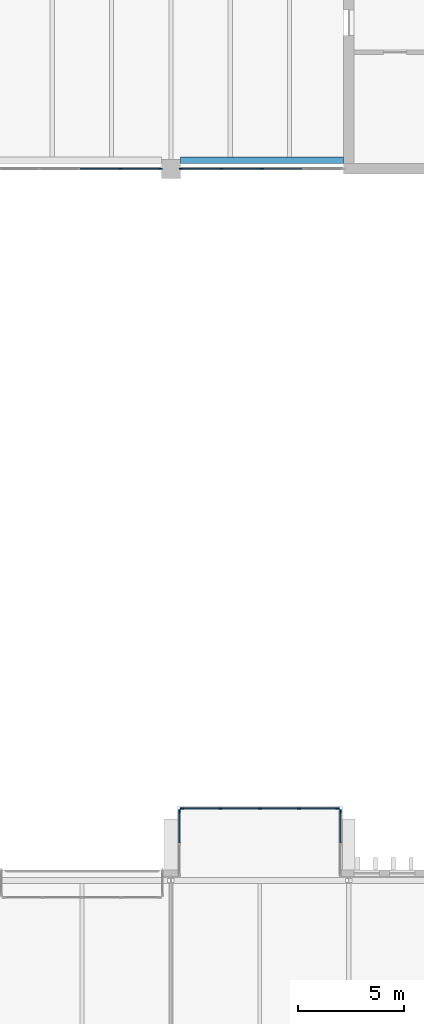
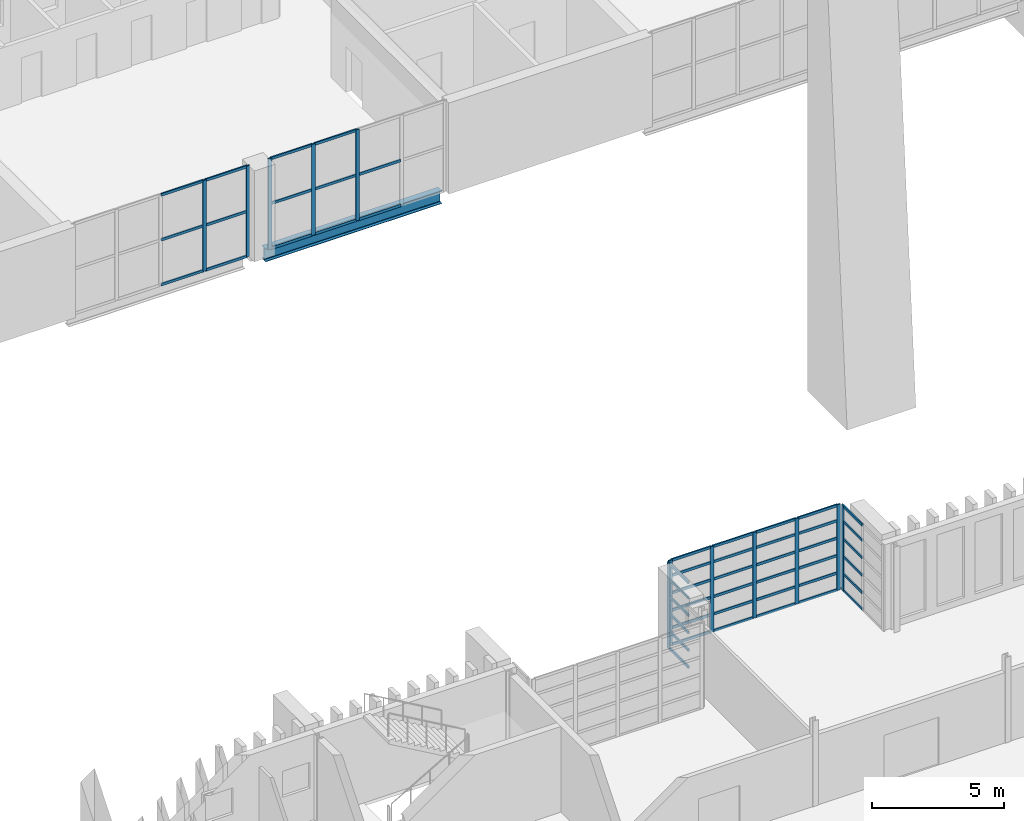
# One storey, part 32 of 88: 62 members, 1 beam, 5 elements without a shape of their own.
"""IFC4 building model written with IfcOpenShell, lengths in metres."""

from ifc_helpers import new_model, si_unit, direction, frame, origin, origin_2d, place, context, subcontext, project, spatial, rectangle, i_section, extrude, material, layer, layer_set, material_profile, profile_set, type_object, element, aggregate, save


model = new_model("IFC4")

# Units and contexts
model_context = context("Model", 3, precision=1e-05, world=origin(), true_north=direction((0.0, 1.0)))
body_context = subcontext(model_context, "Body", "Model", "MODEL_VIEW")
ifc_project = project(units=[si_unit("LENGTHUNIT", "METRE"), si_unit("AREAUNIT", "SQUARE_METRE"), si_unit("VOLUMEUNIT", "CUBIC_METRE"), si_unit("PLANEANGLEUNIT", "RADIAN"), si_unit("MASSUNIT", "GRAM", prefix="KILO")], contexts=[model_context])

# Site, building, storey
site_placement = place(None, origin())
site = spatial("IfcSite", under=ifc_project, at=site_placement, CompositionType="ELEMENT")
building_placement = place(site_placement, origin())
building = spatial("IfcBuilding", under=site, at=building_placement, Name="Cresset Court Congress Hotel", CompositionType="ELEMENT")
storey_placement = place(building_placement, frame((0.0, 0.0, 14.39990234375)))
storey = spatial("IfcBuildingStorey", under=building, at=storey_placement, Name="L03", CompositionType="ELEMENT", Elevation=14.39990234375)

# Curtain wall, members
ifc_material_1 = material(Name="Aluminium frame with double glazing", Category="aluminium")
ifc_layer_1 = layer(ifc_material_1, 0.199951171875)
ifc_layer_set_1 = layer_set([ifc_layer_1], Name="Glazed box curtain wall 1680 module")
curtain_wall_type_1 = type_object("IfcCurtainWallType", Name="Glazed box curtain wall 1680 module", PredefinedType="NOTDEFINED", material=ifc_layer_set_1)
curtain_wall_1_placement = place(storey_placement, origin())
curtain_wall_1 = element("IfcCurtainWall", 1, at=curtain_wall_1_placement, inside=storey, type_object=curtain_wall_type_1, Name="Glazed box N0329 front", PredefinedType="NOTDEFINED")
ifc_material_2 = material(Name="Aluminium", Category="aluminium")
ifc_material_profile_1 = material_profile(ifc_material_2, rectangle(XDim=0.06005859375, YDim=0.159912109375, at=origin_2d()), Name="Box mullion 60x160")
ifc_profile_set_1 = profile_set([ifc_material_profile_1], Name="Aluminium")
member_type_1 = type_object("IfcMemberType", Name="Box mullion 60x160", PredefinedType="MULLION", material=ifc_profile_set_1)
member_1_placement = place(storey_placement, frame((76.1298828125, 28.60009765625, 0.0), z_axis=(0.0, 0.0, 1.0), x_axis=(0.0, 1.0, 0.0)))
member_1 = element("IfcMember", 2, at=member_1_placement, type_object=member_type_1, Name="B-X1 mullion 1", PredefinedType="MULLION", context=body_context, shape_type="SweptSolid", body=[
    extrude(rectangle(XDim=0.06005859375, YDim=0.159912109375, at=origin_2d()), origin(), (0.0, 0.0, 1.0), 3.9501953125),
])
member_2_placement = place(storey_placement, frame((77.949951171875, 28.60009765625, 0.0), z_axis=(0.0, 0.0, 1.0), x_axis=(0.0, 1.0, 0.0)))
member_2 = element("IfcMember", 3, at=member_2_placement, type_object=member_type_1, Name="B-X1 mullion 2", PredefinedType="MULLION", context=body_context, shape_type="SweptSolid", body=[
    extrude(rectangle(XDim=0.06005859375, YDim=0.159912109375, at=origin_2d()), origin(), (0.0, 0.0, 1.0), 3.9501953125),
])
member_3_placement = place(storey_placement, frame((79.800048828125, 28.60009765625, 0.0), z_axis=(0.0, 0.0, 1.0), x_axis=(0.0, 1.0, 0.0)))
member_3 = element("IfcMember", 4, at=member_3_placement, type_object=member_type_1, Name="B-X1 mullion 3", PredefinedType="MULLION", context=body_context, shape_type="SweptSolid", body=[
    extrude(rectangle(XDim=0.06005859375, YDim=0.159912109375, at=origin_2d()), origin(), (0.0, 0.0, 1.0), 3.9501953125),
])
member_4_placement = place(storey_placement, frame((81.64990234375, 28.60009765625, 0.0), z_axis=(0.0, 0.0, 1.0), x_axis=(0.0, 1.0, 0.0)))
member_4 = element("IfcMember", 5, at=member_4_placement, type_object=member_type_1, Name="B-X1 mullion 4", PredefinedType="MULLION", context=body_context, shape_type="SweptSolid", body=[
    extrude(rectangle(XDim=0.06005859375, YDim=0.159912109375, at=origin_2d()), origin(), (0.0, 0.0, 1.0), 3.9501953125),
])
member_5_placement = place(storey_placement, frame((83.469970703125, 28.60009765625, 0.0), z_axis=(0.0, 0.0, 1.0), x_axis=(0.0, 1.0, 0.0)))
member_5 = element("IfcMember", 6, at=member_5_placement, type_object=member_type_1, Name="B-X1 mullion 5", PredefinedType="MULLION", context=body_context, shape_type="SweptSolid", body=[
    extrude(rectangle(XDim=0.06005859375, YDim=0.159912109375, at=origin_2d()), origin(), (0.0, 0.0, 1.0), 3.9501953125),
])

# Curtain wall, member
curtain_wall_2_placement = place(storey_placement, origin())
curtain_wall_2 = element("IfcCurtainWall", 7, at=curtain_wall_2_placement, inside=storey, type_object=curtain_wall_type_1, Name="Glazed box N0329 side", PredefinedType="NOTDEFINED")
member_6_placement = place(storey_placement, frame((76.0, 28.469970703125, 0.0), z_axis=(0.0, 0.0, 1.0), x_axis=(-1.0, 0.0, 0.0)))
member_6 = element("IfcMember", 8, at=member_6_placement, type_object=member_type_1, Name="B-X1 mullion 3", PredefinedType="MULLION", context=body_context, shape_type="SweptSolid", body=[
    extrude(rectangle(XDim=0.06005859375, YDim=0.159912109375, at=origin_2d()), origin(), (0.0, 0.0, 1.0), 3.9501953125),
])

curtain_wall_3_placement = place(storey_placement, origin())
curtain_wall_3 = element("IfcCurtainWall", 9, at=curtain_wall_3_placement, inside=storey, type_object=curtain_wall_type_1, Name="Glazed box N0329 side", PredefinedType="NOTDEFINED")
member_7_placement = place(storey_placement, frame((83.60009765625, 28.469970703125, 0.0), z_axis=(0.0, 0.0, 1.0), x_axis=(-1.0, 0.0, 0.0)))
member_7 = element("IfcMember", 10, at=member_7_placement, type_object=member_type_1, Name="B-X1 mullion 3", PredefinedType="MULLION", context=body_context, shape_type="SweptSolid", body=[
    extrude(rectangle(XDim=0.06005859375, YDim=0.159912109375, at=origin_2d()), origin(), (0.0, 0.0, 1.0), 3.9501953125),
])

# Member
ifc_material_3 = material(Name="Aluminium", Category="aluminium")
ifc_material_profile_2 = material_profile(ifc_material_3, rectangle(XDim=0.06005859375, YDim=0.1201171875, at=origin_2d()), Name="Box transom 60x120")
ifc_profile_set_2 = profile_set([ifc_material_profile_2], Name="Aluminium")
member_type_2 = type_object("IfcMemberType", Name="Box transom 60x120", PredefinedType="USERDEFINED", material=ifc_profile_set_2)
member_8_placement = place(storey_placement, frame((76.159912109375, 28.60009765625, 0.030029296875), z_axis=(1.0, 0.0, 0.0), x_axis=(0.0, 1.0, 0.0)))
member_8 = element("IfcMember", 11, at=member_8_placement, type_object=member_type_2, Name="B-X1 transom 1.1", ObjectType="TRANSOM", PredefinedType="USERDEFINED", context=body_context, shape_type="SweptSolid", body=[
    extrude(rectangle(XDim=0.06005859375, YDim=0.1201171875, at=origin_2d()), origin(), (0.0, 0.0, 1.0), 1.760009765625),
])

member_9_placement = place(storey_placement, frame((76.159912109375, 28.60009765625, 0.80517578125), z_axis=(1.0, 0.0, 0.0), x_axis=(0.0, 1.0, 0.0)))
member_9 = element("IfcMember", 12, at=member_9_placement, type_object=member_type_2, Name="B-X1 transom 1.2", ObjectType="TRANSOM", PredefinedType="USERDEFINED", context=body_context, shape_type="SweptSolid", body=[
    extrude(rectangle(XDim=0.06005859375, YDim=0.1201171875, at=origin_2d()), origin(), (0.0, 0.0, 1.0), 1.760009765625),
])

member_10_placement = place(storey_placement, frame((76.159912109375, 28.60009765625, 1.610107421875), z_axis=(1.0, 0.0, 0.0), x_axis=(0.0, 1.0, 0.0)))
member_10 = element("IfcMember", 13, at=member_10_placement, type_object=member_type_2, Name="B-X1 transom 1.3", ObjectType="TRANSOM", PredefinedType="USERDEFINED", context=body_context, shape_type="SweptSolid", body=[
    extrude(rectangle(XDim=0.06005859375, YDim=0.1201171875, at=origin_2d()), origin(), (0.0, 0.0, 1.0), 1.760009765625),
])

member_11_placement = place(storey_placement, frame((76.159912109375, 28.60009765625, 2.4150390625), z_axis=(1.0, 0.0, 0.0), x_axis=(0.0, 1.0, 0.0)))
member_11 = element("IfcMember", 14, at=member_11_placement, type_object=member_type_2, Name="B-X1 transom 1.4", ObjectType="TRANSOM", PredefinedType="USERDEFINED", context=body_context, shape_type="SweptSolid", body=[
    extrude(rectangle(XDim=0.06005859375, YDim=0.1201171875, at=origin_2d()), origin(), (0.0, 0.0, 1.0), 1.760009765625),
])

member_12_placement = place(storey_placement, frame((76.159912109375, 28.60009765625, 3.22021484375), z_axis=(1.0, 0.0, 0.0), x_axis=(0.0, 1.0, 0.0)))
member_12 = element("IfcMember", 15, at=member_12_placement, type_object=member_type_2, Name="B-X1 transom 1.5", ObjectType="TRANSOM", PredefinedType="USERDEFINED", context=body_context, shape_type="SweptSolid", body=[
    extrude(rectangle(XDim=0.06005859375, YDim=0.1201171875, at=origin_2d()), origin(), (0.0, 0.0, 1.0), 1.760009765625),
])

member_13_placement = place(storey_placement, frame((76.159912109375, 28.60009765625, 3.920166015625), z_axis=(1.0, 0.0, 0.0), x_axis=(0.0, 1.0, 0.0)))
member_13 = element("IfcMember", 16, at=member_13_placement, type_object=member_type_2, Name="B-X1 transom 1.6", ObjectType="TRANSOM", PredefinedType="USERDEFINED", context=body_context, shape_type="SweptSolid", body=[
    extrude(rectangle(XDim=0.06005859375, YDim=0.1201171875, at=origin_2d()), origin(), (0.0, 0.0, 1.0), 1.760009765625),
])

member_14_placement = place(storey_placement, frame((77.97998046875, 28.60009765625, 0.030029296875), z_axis=(1.0, 0.0, 0.0), x_axis=(0.0, 1.0, 0.0)))
member_14 = element("IfcMember", 17, at=member_14_placement, type_object=member_type_2, Name="B-X1 transom 2.1", ObjectType="TRANSOM", PredefinedType="USERDEFINED", context=body_context, shape_type="SweptSolid", body=[
    extrude(rectangle(XDim=0.06005859375, YDim=0.1201171875, at=origin_2d()), origin(), (0.0, 0.0, 1.0), 1.7900390625),
])

member_15_placement = place(storey_placement, frame((77.97998046875, 28.60009765625, 0.80517578125), z_axis=(1.0, 0.0, 0.0), x_axis=(0.0, 1.0, 0.0)))
member_15 = element("IfcMember", 18, at=member_15_placement, type_object=member_type_2, Name="B-X1 transom 2.2", ObjectType="TRANSOM", PredefinedType="USERDEFINED", context=body_context, shape_type="SweptSolid", body=[
    extrude(rectangle(XDim=0.06005859375, YDim=0.1201171875, at=origin_2d()), origin(), (0.0, 0.0, 1.0), 1.7900390625),
])

member_16_placement = place(storey_placement, frame((77.97998046875, 28.60009765625, 1.610107421875), z_axis=(1.0, 0.0, 0.0), x_axis=(0.0, 1.0, 0.0)))
member_16 = element("IfcMember", 19, at=member_16_placement, type_object=member_type_2, Name="B-X1 transom 2.3", ObjectType="TRANSOM", PredefinedType="USERDEFINED", context=body_context, shape_type="SweptSolid", body=[
    extrude(rectangle(XDim=0.06005859375, YDim=0.1201171875, at=origin_2d()), origin(), (0.0, 0.0, 1.0), 1.7900390625),
])

member_17_placement = place(storey_placement, frame((77.97998046875, 28.60009765625, 2.4150390625), z_axis=(1.0, 0.0, 0.0), x_axis=(0.0, 1.0, 0.0)))
member_17 = element("IfcMember", 20, at=member_17_placement, type_object=member_type_2, Name="B-X1 transom 2.4", ObjectType="TRANSOM", PredefinedType="USERDEFINED", context=body_context, shape_type="SweptSolid", body=[
    extrude(rectangle(XDim=0.06005859375, YDim=0.1201171875, at=origin_2d()), origin(), (0.0, 0.0, 1.0), 1.7900390625),
])

member_18_placement = place(storey_placement, frame((77.97998046875, 28.60009765625, 3.22021484375), z_axis=(1.0, 0.0, 0.0), x_axis=(0.0, 1.0, 0.0)))
member_18 = element("IfcMember", 21, at=member_18_placement, type_object=member_type_2, Name="B-X1 transom 2.5", ObjectType="TRANSOM", PredefinedType="USERDEFINED", context=body_context, shape_type="SweptSolid", body=[
    extrude(rectangle(XDim=0.06005859375, YDim=0.1201171875, at=origin_2d()), origin(), (0.0, 0.0, 1.0), 1.7900390625),
])

member_19_placement = place(storey_placement, frame((77.97998046875, 28.60009765625, 3.920166015625), z_axis=(1.0, 0.0, 0.0), x_axis=(0.0, 1.0, 0.0)))
member_19 = element("IfcMember", 22, at=member_19_placement, type_object=member_type_2, Name="B-X1 transom 2.6", ObjectType="TRANSOM", PredefinedType="USERDEFINED", context=body_context, shape_type="SweptSolid", body=[
    extrude(rectangle(XDim=0.06005859375, YDim=0.1201171875, at=origin_2d()), origin(), (0.0, 0.0, 1.0), 1.7900390625),
])

member_20_placement = place(storey_placement, frame((79.830078125, 28.60009765625, 0.030029296875), z_axis=(1.0, 0.0, 0.0), x_axis=(0.0, 1.0, 0.0)))
member_20 = element("IfcMember", 23, at=member_20_placement, type_object=member_type_2, Name="B-X1 transom 3.1", ObjectType="TRANSOM", PredefinedType="USERDEFINED", context=body_context, shape_type="SweptSolid", body=[
    extrude(rectangle(XDim=0.06005859375, YDim=0.1201171875, at=origin_2d()), origin(), (0.0, 0.0, 1.0), 1.7900390625),
])

member_21_placement = place(storey_placement, frame((79.830078125, 28.60009765625, 0.80517578125), z_axis=(1.0, 0.0, 0.0), x_axis=(0.0, 1.0, 0.0)))
member_21 = element("IfcMember", 24, at=member_21_placement, type_object=member_type_2, Name="B-X1 transom 3.2", ObjectType="TRANSOM", PredefinedType="USERDEFINED", context=body_context, shape_type="SweptSolid", body=[
    extrude(rectangle(XDim=0.06005859375, YDim=0.1201171875, at=origin_2d()), origin(), (0.0, 0.0, 1.0), 1.7900390625),
])

member_22_placement = place(storey_placement, frame((79.830078125, 28.60009765625, 1.610107421875), z_axis=(1.0, 0.0, 0.0), x_axis=(0.0, 1.0, 0.0)))
member_22 = element("IfcMember", 25, at=member_22_placement, type_object=member_type_2, Name="B-X1 transom 3.3", ObjectType="TRANSOM", PredefinedType="USERDEFINED", context=body_context, shape_type="SweptSolid", body=[
    extrude(rectangle(XDim=0.06005859375, YDim=0.1201171875, at=origin_2d()), origin(), (0.0, 0.0, 1.0), 1.7900390625),
])

member_23_placement = place(storey_placement, frame((79.830078125, 28.60009765625, 2.4150390625), z_axis=(1.0, 0.0, 0.0), x_axis=(0.0, 1.0, 0.0)))
member_23 = element("IfcMember", 26, at=member_23_placement, type_object=member_type_2, Name="B-X1 transom 3.4", ObjectType="TRANSOM", PredefinedType="USERDEFINED", context=body_context, shape_type="SweptSolid", body=[
    extrude(rectangle(XDim=0.06005859375, YDim=0.1201171875, at=origin_2d()), origin(), (0.0, 0.0, 1.0), 1.7900390625),
])

member_24_placement = place(storey_placement, frame((79.830078125, 28.60009765625, 3.22021484375), z_axis=(1.0, 0.0, 0.0), x_axis=(0.0, 1.0, 0.0)))
member_24 = element("IfcMember", 27, at=member_24_placement, type_object=member_type_2, Name="B-X1 transom 3.5", ObjectType="TRANSOM", PredefinedType="USERDEFINED", context=body_context, shape_type="SweptSolid", body=[
    extrude(rectangle(XDim=0.06005859375, YDim=0.1201171875, at=origin_2d()), origin(), (0.0, 0.0, 1.0), 1.7900390625),
])

member_25_placement = place(storey_placement, frame((79.830078125, 28.60009765625, 3.920166015625), z_axis=(1.0, 0.0, 0.0), x_axis=(0.0, 1.0, 0.0)))
member_25 = element("IfcMember", 28, at=member_25_placement, type_object=member_type_2, Name="B-X1 transom 3.6", ObjectType="TRANSOM", PredefinedType="USERDEFINED", context=body_context, shape_type="SweptSolid", body=[
    extrude(rectangle(XDim=0.06005859375, YDim=0.1201171875, at=origin_2d()), origin(), (0.0, 0.0, 1.0), 1.7900390625),
])

member_26_placement = place(storey_placement, frame((81.679931640625, 28.60009765625, 0.030029296875), z_axis=(1.0, 0.0, 0.0), x_axis=(0.0, 1.0, 0.0)))
member_26 = element("IfcMember", 29, at=member_26_placement, type_object=member_type_2, Name="B-X1 transom 4.1", ObjectType="TRANSOM", PredefinedType="USERDEFINED", context=body_context, shape_type="SweptSolid", body=[
    extrude(rectangle(XDim=0.06005859375, YDim=0.1201171875, at=origin_2d()), origin(), (0.0, 0.0, 1.0), 1.760009765625),
])

member_27_placement = place(storey_placement, frame((81.679931640625, 28.60009765625, 0.80517578125), z_axis=(1.0, 0.0, 0.0), x_axis=(0.0, 1.0, 0.0)))
member_27 = element("IfcMember", 30, at=member_27_placement, type_object=member_type_2, Name="B-X1 transom 4.2", ObjectType="TRANSOM", PredefinedType="USERDEFINED", context=body_context, shape_type="SweptSolid", body=[
    extrude(rectangle(XDim=0.06005859375, YDim=0.1201171875, at=origin_2d()), origin(), (0.0, 0.0, 1.0), 1.760009765625),
])

member_28_placement = place(storey_placement, frame((81.679931640625, 28.60009765625, 1.610107421875), z_axis=(1.0, 0.0, 0.0), x_axis=(0.0, 1.0, 0.0)))
member_28 = element("IfcMember", 31, at=member_28_placement, type_object=member_type_2, Name="B-X1 transom 4.3", ObjectType="TRANSOM", PredefinedType="USERDEFINED", context=body_context, shape_type="SweptSolid", body=[
    extrude(rectangle(XDim=0.06005859375, YDim=0.1201171875, at=origin_2d()), origin(), (0.0, 0.0, 1.0), 1.760009765625),
])

member_29_placement = place(storey_placement, frame((81.679931640625, 28.60009765625, 2.4150390625), z_axis=(1.0, 0.0, 0.0), x_axis=(0.0, 1.0, 0.0)))
member_29 = element("IfcMember", 32, at=member_29_placement, type_object=member_type_2, Name="B-X1 transom 4.4", ObjectType="TRANSOM", PredefinedType="USERDEFINED", context=body_context, shape_type="SweptSolid", body=[
    extrude(rectangle(XDim=0.06005859375, YDim=0.1201171875, at=origin_2d()), origin(), (0.0, 0.0, 1.0), 1.760009765625),
])

member_30_placement = place(storey_placement, frame((81.679931640625, 28.60009765625, 3.22021484375), z_axis=(1.0, 0.0, 0.0), x_axis=(0.0, 1.0, 0.0)))
member_30 = element("IfcMember", 33, at=member_30_placement, type_object=member_type_2, Name="B-X1 transom 4.5", ObjectType="TRANSOM", PredefinedType="USERDEFINED", context=body_context, shape_type="SweptSolid", body=[
    extrude(rectangle(XDim=0.06005859375, YDim=0.1201171875, at=origin_2d()), origin(), (0.0, 0.0, 1.0), 1.760009765625),
])

member_31_placement = place(storey_placement, frame((81.679931640625, 28.60009765625, 3.920166015625), z_axis=(1.0, 0.0, 0.0), x_axis=(0.0, 1.0, 0.0)))
member_31 = element("IfcMember", 34, at=member_31_placement, type_object=member_type_2, Name="B-X1 transom 4.6", ObjectType="TRANSOM", PredefinedType="USERDEFINED", context=body_context, shape_type="SweptSolid", body=[
    extrude(rectangle(XDim=0.06005859375, YDim=0.1201171875, at=origin_2d()), origin(), (0.0, 0.0, 1.0), 1.760009765625),
])

aggregate(curtain_wall_1, [member_1, member_2, member_3, member_4, member_5, member_8, member_9, member_10, member_11, member_12, member_13, member_14, member_15, member_16, member_17, member_18, member_19, member_20, member_21, member_22, member_23, member_24, member_25, member_26, member_27, member_28, member_29, member_30, member_31])

member_32_placement = place(storey_placement, frame((76.0, 26.97998046875, 0.030029296875), z_axis=(0.0, 1.0, 0.0), x_axis=(-1.0, 0.0, 0.0)))
member_32 = element("IfcMember", 35, at=member_32_placement, type_object=member_type_2, Name="B-X1 transom 2.1", ObjectType="TRANSOM", PredefinedType="USERDEFINED", context=body_context, shape_type="SweptSolid", body=[
    extrude(rectangle(XDim=0.06005859375, YDim=0.1201171875, at=origin_2d()), origin(), (0.0, 0.0, 1.0), 1.4599609375),
])

member_33_placement = place(storey_placement, frame((76.0, 26.97998046875, 0.80517578125), z_axis=(0.0, 1.0, 0.0), x_axis=(-1.0, 0.0, 0.0)))
member_33 = element("IfcMember", 36, at=member_33_placement, type_object=member_type_2, Name="B-X1 transom 2.2", ObjectType="TRANSOM", PredefinedType="USERDEFINED", context=body_context, shape_type="SweptSolid", body=[
    extrude(rectangle(XDim=0.06005859375, YDim=0.1201171875, at=origin_2d()), origin(), (0.0, 0.0, 1.0), 1.4599609375),
])

member_34_placement = place(storey_placement, frame((76.0, 26.97998046875, 1.610107421875), z_axis=(0.0, 1.0, 0.0), x_axis=(-1.0, 0.0, 0.0)))
member_34 = element("IfcMember", 37, at=member_34_placement, type_object=member_type_2, Name="B-X1 transom 2.3", ObjectType="TRANSOM", PredefinedType="USERDEFINED", context=body_context, shape_type="SweptSolid", body=[
    extrude(rectangle(XDim=0.06005859375, YDim=0.1201171875, at=origin_2d()), origin(), (0.0, 0.0, 1.0), 1.4599609375),
])

member_35_placement = place(storey_placement, frame((76.0, 26.97998046875, 2.4150390625), z_axis=(0.0, 1.0, 0.0), x_axis=(-1.0, 0.0, 0.0)))
member_35 = element("IfcMember", 38, at=member_35_placement, type_object=member_type_2, Name="B-X1 transom 2.4", ObjectType="TRANSOM", PredefinedType="USERDEFINED", context=body_context, shape_type="SweptSolid", body=[
    extrude(rectangle(XDim=0.06005859375, YDim=0.1201171875, at=origin_2d()), origin(), (0.0, 0.0, 1.0), 1.4599609375),
])

member_36_placement = place(storey_placement, frame((76.0, 26.97998046875, 3.22021484375), z_axis=(0.0, 1.0, 0.0), x_axis=(-1.0, 0.0, 0.0)))
member_36 = element("IfcMember", 39, at=member_36_placement, type_object=member_type_2, Name="B-X1 transom 2.5", ObjectType="TRANSOM", PredefinedType="USERDEFINED", context=body_context, shape_type="SweptSolid", body=[
    extrude(rectangle(XDim=0.06005859375, YDim=0.1201171875, at=origin_2d()), origin(), (0.0, 0.0, 1.0), 1.4599609375),
])

member_37_placement = place(storey_placement, frame((76.0, 26.97998046875, 3.920166015625), z_axis=(0.0, 1.0, 0.0), x_axis=(-1.0, 0.0, 0.0)))
member_37 = element("IfcMember", 40, at=member_37_placement, type_object=member_type_2, Name="B-X1 transom 2.6", ObjectType="TRANSOM", PredefinedType="USERDEFINED", context=body_context, shape_type="SweptSolid", body=[
    extrude(rectangle(XDim=0.06005859375, YDim=0.1201171875, at=origin_2d()), origin(), (0.0, 0.0, 1.0), 1.4599609375),
])

aggregate(curtain_wall_2, [member_6, member_32, member_33, member_34, member_35, member_36, member_37])

member_38_placement = place(storey_placement, frame((83.60009765625, 26.97998046875, 0.030029296875), z_axis=(0.0, 1.0, 0.0), x_axis=(-1.0, 0.0, 0.0)))
member_38 = element("IfcMember", 41, at=member_38_placement, type_object=member_type_2, Name="B-X1 transom 2.1", ObjectType="TRANSOM", PredefinedType="USERDEFINED", context=body_context, shape_type="SweptSolid", body=[
    extrude(rectangle(XDim=0.06005859375, YDim=0.1201171875, at=origin_2d()), origin(), (0.0, 0.0, 1.0), 1.4599609375),
])

member_39_placement = place(storey_placement, frame((83.60009765625, 26.97998046875, 0.80517578125), z_axis=(0.0, 1.0, 0.0), x_axis=(-1.0, 0.0, 0.0)))
member_39 = element("IfcMember", 42, at=member_39_placement, type_object=member_type_2, Name="B-X1 transom 2.2", ObjectType="TRANSOM", PredefinedType="USERDEFINED", context=body_context, shape_type="SweptSolid", body=[
    extrude(rectangle(XDim=0.06005859375, YDim=0.1201171875, at=origin_2d()), origin(), (0.0, 0.0, 1.0), 1.4599609375),
])

member_40_placement = place(storey_placement, frame((83.60009765625, 26.97998046875, 1.610107421875), z_axis=(0.0, 1.0, 0.0), x_axis=(-1.0, 0.0, 0.0)))
member_40 = element("IfcMember", 43, at=member_40_placement, type_object=member_type_2, Name="B-X1 transom 2.3", ObjectType="TRANSOM", PredefinedType="USERDEFINED", context=body_context, shape_type="SweptSolid", body=[
    extrude(rectangle(XDim=0.06005859375, YDim=0.1201171875, at=origin_2d()), origin(), (0.0, 0.0, 1.0), 1.4599609375),
])

member_41_placement = place(storey_placement, frame((83.60009765625, 26.97998046875, 2.4150390625), z_axis=(0.0, 1.0, 0.0), x_axis=(-1.0, 0.0, 0.0)))
member_41 = element("IfcMember", 44, at=member_41_placement, type_object=member_type_2, Name="B-X1 transom 2.4", ObjectType="TRANSOM", PredefinedType="USERDEFINED", context=body_context, shape_type="SweptSolid", body=[
    extrude(rectangle(XDim=0.06005859375, YDim=0.1201171875, at=origin_2d()), origin(), (0.0, 0.0, 1.0), 1.4599609375),
])

member_42_placement = place(storey_placement, frame((83.60009765625, 26.97998046875, 3.22021484375), z_axis=(0.0, 1.0, 0.0), x_axis=(-1.0, 0.0, 0.0)))
member_42 = element("IfcMember", 45, at=member_42_placement, type_object=member_type_2, Name="B-X1 transom 2.5", ObjectType="TRANSOM", PredefinedType="USERDEFINED", context=body_context, shape_type="SweptSolid", body=[
    extrude(rectangle(XDim=0.06005859375, YDim=0.1201171875, at=origin_2d()), origin(), (0.0, 0.0, 1.0), 1.4599609375),
])

member_43_placement = place(storey_placement, frame((83.60009765625, 26.97998046875, 3.920166015625), z_axis=(0.0, 1.0, 0.0), x_axis=(-1.0, 0.0, 0.0)))
member_43 = element("IfcMember", 46, at=member_43_placement, type_object=member_type_2, Name="B-X1 transom 2.6", ObjectType="TRANSOM", PredefinedType="USERDEFINED", context=body_context, shape_type="SweptSolid", body=[
    extrude(rectangle(XDim=0.06005859375, YDim=0.1201171875, at=origin_2d()), origin(), (0.0, 0.0, 1.0), 1.4599609375),
])

aggregate(curtain_wall_3, [member_7, member_38, member_39, member_40, member_41, member_42, member_43])

# Curtain wall, members
ifc_material_4 = material(Name="Aluminium and glass", Category="aluminium")
ifc_layer_2 = layer(ifc_material_4, 0.199951171875)
ifc_layer_set_2 = layer_set([ifc_layer_2], Name="Foyer curtain wall 1925 module")
curtain_wall_type_2 = type_object("IfcCurtainWallType", Name="Foyer curtain wall 1925 module", PredefinedType="NOTDEFINED", material=ifc_layer_set_2)
curtain_wall_4_placement = place(storey_placement, origin())
curtain_wall_4 = element("IfcCurtainWall", 47, at=curtain_wall_4_placement, inside=storey, type_object=curtain_wall_type_2, Name="Curtain wall CX-031", PredefinedType="NOTDEFINED")
ifc_material_5 = material(Name="Anodised aluminium", Category="aluminium")
ifc_material_profile_3 = material_profile(ifc_material_5, rectangle(XDim=0.06005859375, YDim=0.159912109375, at=origin_2d()), Name="AL60x160")
ifc_profile_set_3 = profile_set([ifc_material_profile_3], Name="Anodised aluminium")
member_type_3 = type_object("IfcMemberType", Name="Curtain wall mullion 60x160", PredefinedType="MULLION", material=ifc_profile_set_3)
member_44_placement = place(storey_placement, frame((73.22509765625, 58.800048828125, 0.0), z_axis=(0.0, 0.0, 1.0), x_axis=(0.0, 1.0, 0.0)))
member_44 = element("IfcMember", 48, at=member_44_placement, type_object=member_type_3, Name="C-X1 mullion 4", PredefinedType="MULLION", context=body_context, shape_type="SweptSolid", body=[
    extrude(rectangle(XDim=0.06005859375, YDim=0.159912109375, at=origin_2d()), origin(), (0.0, 0.0, 1.0), 4.2001953125),
])
member_45_placement = place(storey_placement, frame((75.1201171875, 58.800048828125, 0.0), z_axis=(0.0, 0.0, 1.0), x_axis=(0.0, 1.0, 0.0)))
member_45 = element("IfcMember", 49, at=member_45_placement, type_object=member_type_3, Name="C-X1 mullion 5", PredefinedType="MULLION", context=body_context, shape_type="SweptSolid", body=[
    extrude(rectangle(XDim=0.06005859375, YDim=0.159912109375, at=origin_2d()), origin(), (0.0, 0.0, 1.0), 4.2001953125),
])

curtain_wall_5_placement = place(storey_placement, origin())
curtain_wall_5 = element("IfcCurtainWall", 50, at=curtain_wall_5_placement, inside=storey, type_object=curtain_wall_type_2, Name="Curtain wall CX-032", PredefinedType="NOTDEFINED")
member_46_placement = place(storey_placement, frame((76.080078125, 58.800048828125, 0.0), z_axis=(0.0, 0.0, 1.0), x_axis=(0.0, 1.0, 0.0)))
member_46 = element("IfcMember", 51, at=member_46_placement, type_object=member_type_3, Name="C-X1 mullion 1", PredefinedType="MULLION", context=body_context, shape_type="SweptSolid", body=[
    extrude(rectangle(XDim=0.06005859375, YDim=0.159912109375, at=origin_2d()), origin(), (0.0, 0.0, 1.0), 4.2001953125),
])
member_47_placement = place(storey_placement, frame((77.97509765625, 58.800048828125, 0.0), z_axis=(0.0, 0.0, 1.0), x_axis=(0.0, 1.0, 0.0)))
member_47 = element("IfcMember", 52, at=member_47_placement, type_object=member_type_3, Name="C-X1 mullion 2", PredefinedType="MULLION", context=body_context, shape_type="SweptSolid", body=[
    extrude(rectangle(XDim=0.06005859375, YDim=0.159912109375, at=origin_2d()), origin(), (0.0, 0.0, 1.0), 4.2001953125),
])
member_48_placement = place(storey_placement, frame((79.89990234375, 58.800048828125, 0.0), z_axis=(0.0, 0.0, 1.0), x_axis=(0.0, 1.0, 0.0)))
member_48 = element("IfcMember", 53, at=member_48_placement, type_object=member_type_3, Name="C-X1 mullion 3", PredefinedType="MULLION", context=body_context, shape_type="SweptSolid", body=[
    extrude(rectangle(XDim=0.06005859375, YDim=0.159912109375, at=origin_2d()), origin(), (0.0, 0.0, 1.0), 4.2001953125),
])

# Member
ifc_material_6 = material(Name="Anodised aluminium", Category="aluminium")
ifc_material_profile_4 = material_profile(ifc_material_6, rectangle(XDim=0.06005859375, YDim=0.1201171875, at=origin_2d()), Name="AL60x120")
ifc_profile_set_4 = profile_set([ifc_material_profile_4], Name="Anodised aluminium")
member_type_4 = type_object("IfcMemberType", Name="Curtain wall transom 60x120", PredefinedType="USERDEFINED", material=ifc_profile_set_4)
member_49_placement = place(storey_placement, frame((71.330078125, 58.800048828125, 0.030029296875), z_axis=(1.0, 0.0, 0.0), x_axis=(0.0, 1.0, 0.0)))
member_49 = element("IfcMember", 54, at=member_49_placement, type_object=member_type_4, Name="C-X1 transom 3.1", ObjectType="TRANSOM", PredefinedType="USERDEFINED", context=body_context, shape_type="SweptSolid", body=[
    extrude(rectangle(XDim=0.06005859375, YDim=0.1201171875, at=origin_2d()), origin(), (0.0, 0.0, 1.0), 1.864990234375),
])

member_50_placement = place(storey_placement, frame((71.330078125, 58.800048828125, 2.10009765625), z_axis=(1.0, 0.0, 0.0), x_axis=(0.0, 1.0, 0.0)))
member_50 = element("IfcMember", 55, at=member_50_placement, type_object=member_type_4, Name="C-X1 transom 3.2", ObjectType="TRANSOM", PredefinedType="USERDEFINED", context=body_context, shape_type="SweptSolid", body=[
    extrude(rectangle(XDim=0.06005859375, YDim=0.1201171875, at=origin_2d()), origin(), (0.0, 0.0, 1.0), 1.864990234375),
])

member_51_placement = place(storey_placement, frame((71.330078125, 58.800048828125, 4.170166015625), z_axis=(1.0, 0.0, 0.0), x_axis=(0.0, 1.0, 0.0)))
member_51 = element("IfcMember", 56, at=member_51_placement, type_object=member_type_4, Name="C-X1 transom 3.3", ObjectType="TRANSOM", PredefinedType="USERDEFINED", context=body_context, shape_type="SweptSolid", body=[
    extrude(rectangle(XDim=0.06005859375, YDim=0.1201171875, at=origin_2d()), origin(), (0.0, 0.0, 1.0), 1.864990234375),
])

member_52_placement = place(storey_placement, frame((73.2548828125, 58.800048828125, 0.030029296875), z_axis=(1.0, 0.0, 0.0), x_axis=(0.0, 1.0, 0.0)))
member_52 = element("IfcMember", 57, at=member_52_placement, type_object=member_type_4, Name="C-X1 transom 4.1", ObjectType="TRANSOM", PredefinedType="USERDEFINED", context=body_context, shape_type="SweptSolid", body=[
    extrude(rectangle(XDim=0.06005859375, YDim=0.1201171875, at=origin_2d()), origin(), (0.0, 0.0, 1.0), 1.835205078125),
])

member_53_placement = place(storey_placement, frame((73.2548828125, 58.800048828125, 2.10009765625), z_axis=(1.0, 0.0, 0.0), x_axis=(0.0, 1.0, 0.0)))
member_53 = element("IfcMember", 58, at=member_53_placement, type_object=member_type_4, Name="C-X1 transom 4.2", ObjectType="TRANSOM", PredefinedType="USERDEFINED", context=body_context, shape_type="SweptSolid", body=[
    extrude(rectangle(XDim=0.06005859375, YDim=0.1201171875, at=origin_2d()), origin(), (0.0, 0.0, 1.0), 1.835205078125),
])

member_54_placement = place(storey_placement, frame((73.2548828125, 58.800048828125, 4.170166015625), z_axis=(1.0, 0.0, 0.0), x_axis=(0.0, 1.0, 0.0)))
member_54 = element("IfcMember", 59, at=member_54_placement, type_object=member_type_4, Name="C-X1 transom 4.3", ObjectType="TRANSOM", PredefinedType="USERDEFINED", context=body_context, shape_type="SweptSolid", body=[
    extrude(rectangle(XDim=0.06005859375, YDim=0.1201171875, at=origin_2d()), origin(), (0.0, 0.0, 1.0), 1.835205078125),
])

aggregate(curtain_wall_4, [member_44, member_45, member_49, member_50, member_51, member_52, member_53, member_54])

member_55_placement = place(storey_placement, frame((76.110107421875, 58.800048828125, 0.030029296875), z_axis=(1.0, 0.0, 0.0), x_axis=(0.0, 1.0, 0.0)))
member_55 = element("IfcMember", 60, at=member_55_placement, type_object=member_type_4, Name="C-X1 transom 1.1", ObjectType="TRANSOM", PredefinedType="USERDEFINED", context=body_context, shape_type="SweptSolid", body=[
    extrude(rectangle(XDim=0.06005859375, YDim=0.1201171875, at=origin_2d()), origin(), (0.0, 0.0, 1.0), 1.8349609375),
])

member_56_placement = place(storey_placement, frame((76.110107421875, 58.800048828125, 2.10009765625), z_axis=(1.0, 0.0, 0.0), x_axis=(0.0, 1.0, 0.0)))
member_56 = element("IfcMember", 61, at=member_56_placement, type_object=member_type_4, Name="C-X1 transom 1.2", ObjectType="TRANSOM", PredefinedType="USERDEFINED", context=body_context, shape_type="SweptSolid", body=[
    extrude(rectangle(XDim=0.06005859375, YDim=0.1201171875, at=origin_2d()), origin(), (0.0, 0.0, 1.0), 1.8349609375),
])

member_57_placement = place(storey_placement, frame((76.110107421875, 58.800048828125, 4.170166015625), z_axis=(1.0, 0.0, 0.0), x_axis=(0.0, 1.0, 0.0)))
member_57 = element("IfcMember", 62, at=member_57_placement, type_object=member_type_4, Name="C-X1 transom 1.3", ObjectType="TRANSOM", PredefinedType="USERDEFINED", context=body_context, shape_type="SweptSolid", body=[
    extrude(rectangle(XDim=0.06005859375, YDim=0.1201171875, at=origin_2d()), origin(), (0.0, 0.0, 1.0), 1.8349609375),
])

member_58_placement = place(storey_placement, frame((78.0048828125, 58.800048828125, 0.030029296875), z_axis=(1.0, 0.0, 0.0), x_axis=(0.0, 1.0, 0.0)))
member_58 = element("IfcMember", 63, at=member_58_placement, type_object=member_type_4, Name="C-X1 transom 2.1", ObjectType="TRANSOM", PredefinedType="USERDEFINED", context=body_context, shape_type="SweptSolid", body=[
    extrude(rectangle(XDim=0.06005859375, YDim=0.1201171875, at=origin_2d()), origin(), (0.0, 0.0, 1.0), 1.865234375),
])

member_59_placement = place(storey_placement, frame((78.0048828125, 58.800048828125, 2.10009765625), z_axis=(1.0, 0.0, 0.0), x_axis=(0.0, 1.0, 0.0)))
member_59 = element("IfcMember", 64, at=member_59_placement, type_object=member_type_4, Name="C-X1 transom 2.2", ObjectType="TRANSOM", PredefinedType="USERDEFINED", context=body_context, shape_type="SweptSolid", body=[
    extrude(rectangle(XDim=0.06005859375, YDim=0.1201171875, at=origin_2d()), origin(), (0.0, 0.0, 1.0), 1.865234375),
])

member_60_placement = place(storey_placement, frame((78.0048828125, 58.800048828125, 4.170166015625), z_axis=(1.0, 0.0, 0.0), x_axis=(0.0, 1.0, 0.0)))
member_60 = element("IfcMember", 65, at=member_60_placement, type_object=member_type_4, Name="C-X1 transom 2.3", ObjectType="TRANSOM", PredefinedType="USERDEFINED", context=body_context, shape_type="SweptSolid", body=[
    extrude(rectangle(XDim=0.06005859375, YDim=0.1201171875, at=origin_2d()), origin(), (0.0, 0.0, 1.0), 1.865234375),
])

member_61_placement = place(storey_placement, frame((79.929931640625, 58.800048828125, 0.030029296875), z_axis=(1.0, 0.0, 0.0), x_axis=(0.0, 1.0, 0.0)))
member_61 = element("IfcMember", 66, at=member_61_placement, type_object=member_type_4, Name="C-X1 transom 3.1", ObjectType="TRANSOM", PredefinedType="USERDEFINED", context=body_context, shape_type="SweptSolid", body=[
    extrude(rectangle(XDim=0.06005859375, YDim=0.1201171875, at=origin_2d()), origin(), (0.0, 0.0, 1.0), 1.864990234375),
])

member_62_placement = place(storey_placement, frame((79.929931640625, 58.800048828125, 2.10009765625), z_axis=(1.0, 0.0, 0.0), x_axis=(0.0, 1.0, 0.0)))
member_62 = element("IfcMember", 67, at=member_62_placement, type_object=member_type_4, Name="C-X1 transom 3.2", ObjectType="TRANSOM", PredefinedType="USERDEFINED", context=body_context, shape_type="SweptSolid", body=[
    extrude(rectangle(XDim=0.06005859375, YDim=0.1201171875, at=origin_2d()), origin(), (0.0, 0.0, 1.0), 1.864990234375),
])

aggregate(curtain_wall_5, [member_46, member_47, member_48, member_55, member_56, member_57, member_58, member_59, member_60, member_61, member_62])

# Beam
ifc_material_7 = material(Name="Structural steel Q355B", Category="steel")
ifc_material_profile_5 = material_profile(ifc_material_7, i_section(OverallWidth=0.300048828125, OverallDepth=0.587890625, WebThickness=0.011962890625, FlangeThickness=0.02001953125, FilletRadius=0.028076171875, at=origin_2d()), Name="HM588x300x12x20")
ifc_profile_set_5 = profile_set([ifc_material_profile_5], Name="Structural steel Q355B")
beam_type = type_object("IfcBeamType", Name="Steel HM588x300x12x20 girder", PredefinedType="BEAM", material=ifc_profile_set_5)
beam_placement = place(storey_placement, frame((76.050048828125, 59.199951171875, -0.44384765625), z_axis=(1.0, 0.0, 0.0), x_axis=(0.0, 1.0, 0.0)))
element("IfcBeam", 68, at=beam_placement, inside=storey, type_object=beam_type, Name="Girder CG-F036", PredefinedType="BEAM", context=body_context, shape_type="SweptSolid", body=[
    extrude(i_section(OverallWidth=0.300048828125, OverallDepth=0.587890625, WebThickness=0.011962890625, FlangeThickness=0.02001953125, FilletRadius=0.028076171875, at=origin_2d()), origin(), (0.0, 0.0, 1.0), 7.699951171875),
])

save(model, "model.ifc")
